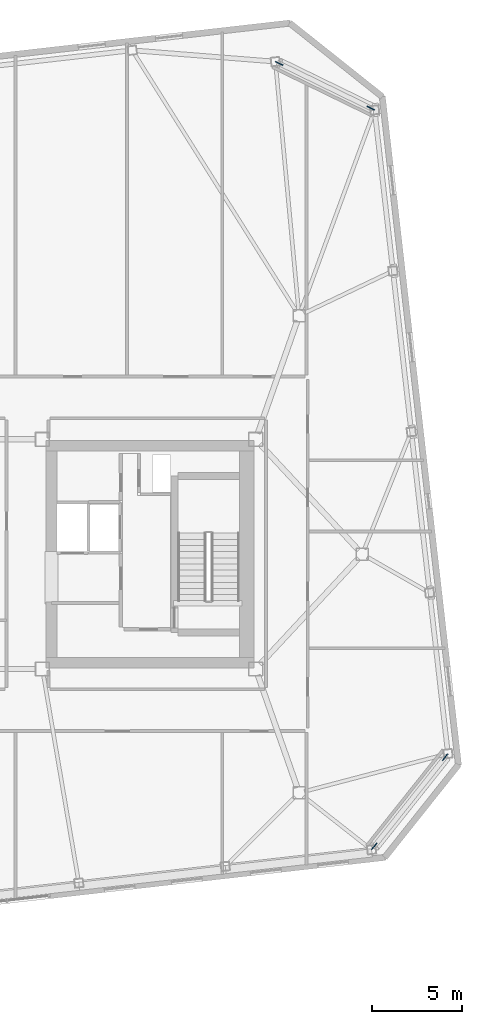
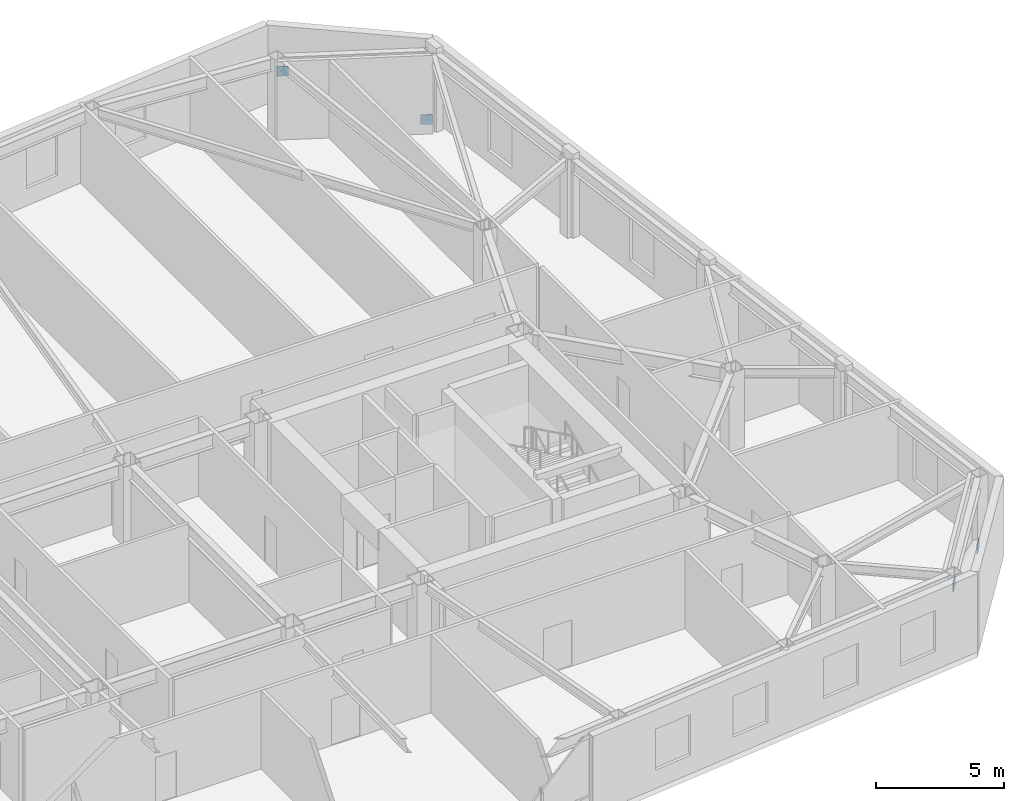
# One storey, part 18 of 19: 4 discrete accessories.
"""IFC4 building model written with IfcOpenShell, lengths in metres."""

from ifc_helpers import new_model, si_unit, direction, frame, origin, origin_2d, place, context, subcontext, project, spatial, rectangle, extrude, material, type_object, element, save


model = new_model("IFC4")

# Units and contexts
model_context = context("Model", 3, precision=1e-05, world=origin(), true_north=direction((0.0, 1.0)))
body_context = subcontext(model_context, "Body", "Model", "MODEL_VIEW")
ifc_project = project(units=[si_unit("LENGTHUNIT", "METRE"), si_unit("AREAUNIT", "SQUARE_METRE"), si_unit("VOLUMEUNIT", "CUBIC_METRE"), si_unit("PLANEANGLEUNIT", "RADIAN"), si_unit("MASSUNIT", "GRAM", prefix="KILO")], contexts=[model_context])

# Site, building, storey
site_placement = place(None, origin())
site = spatial("IfcSite", under=ifc_project, at=site_placement, CompositionType="ELEMENT")
building_placement = place(site_placement, origin())
building = spatial("IfcBuilding", under=site, at=building_placement, Name="Tavrogorsk Clinical Tower", CompositionType="ELEMENT")
storey_placement = place(building_placement, frame((0.0, 0.0, 259.0)))
storey = spatial("IfcBuildingStorey", under=building, at=storey_placement, Name="L60", CompositionType="ELEMENT", Elevation=259.0)

# Discrete accessories
ifc_material = material(Name="Structural steel S440", Category="steel")
discrete_accessory_type = type_object("IfcDiscreteAccessoryType", Name="GussetPlateBracket_25", PredefinedType="BRACKET", material=ifc_material)
for number, where, z_axis, x_axis, name in (
    (1, (32.5859375, -11.2197265625, 0.168212890625), (0.0, 0.0, 1.0), (-0.622514636638, -0.782608156852, 0.0), "L60 Brace Gusset Plate EXOCRN-L60-1-A"),
    (2, (28.6572265625, -16.15869140625, 2.761962890625), (0.0, 0.0, 1.0), (-0.622514636638, -0.782608156852, 0.0), "L60 Brace Gusset Plate EXOCRN-L60-1-B"),
    (3, (28.46630859375, 24.679443359375, 0.17724609375), (0.0, 0.0, 1.0), (-0.898794046299, 0.438371146789, 0.0), "L60 Brace Gusset Plate EXOCRN-L60-2-A"),
    (4, (23.399169921875, 27.150634765625, 2.7529296875), (0.0, 0.0, 1.0), (-0.898794046299, 0.438371146789, 0.0), "L60 Brace Gusset Plate EXOCRN-L60-2-B"),
):
    element("IfcDiscreteAccessory", number, at=place(storey_placement, frame(where, z_axis=z_axis, x_axis=x_axis)), inside=storey, type_object=discrete_accessory_type, Name=name, PredefinedType="BRACKET", context=body_context, shape_type="SweptSolid", body=[
        extrude(rectangle(XDim=0.4599609375, YDim=0.0400390625, at=origin_2d()), origin(), (0.0, 0.0, 1.0), 0.4599609375),
    ])

save(model, "model.ifc")
